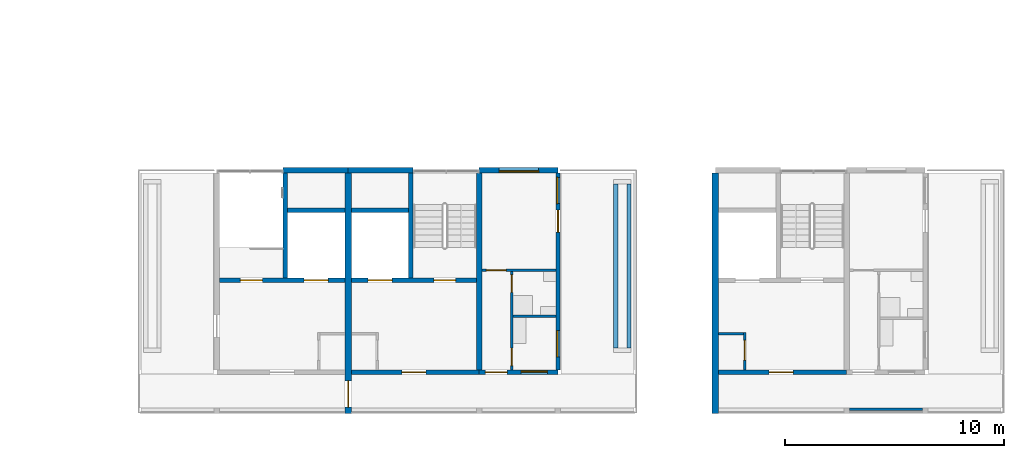
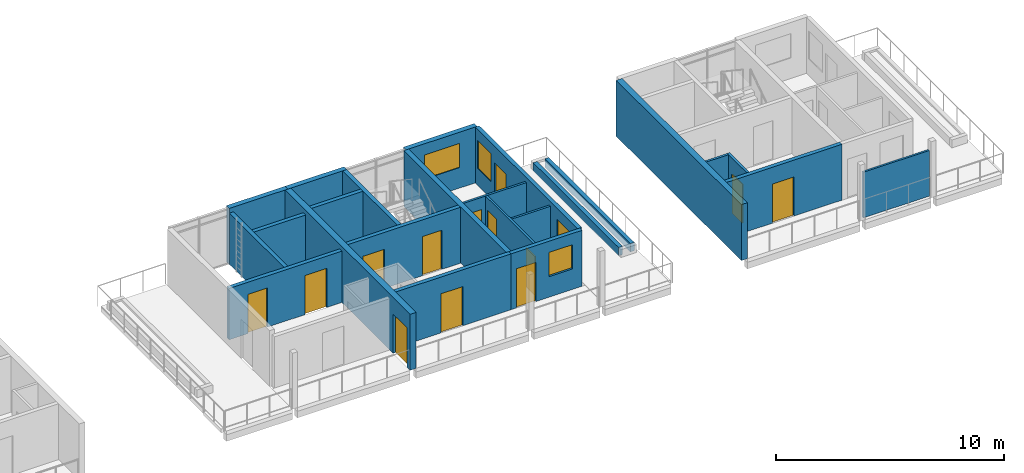
# One storey, part 24 of 41: 24 walls, 13 doors, 4 windows, 17 openings.
"""IFC4 building model written with IfcOpenShell, lengths in metres."""

import ifcopenshell
import ifcopenshell.guid

model = None  # the IFC model being written
_history = None  # IfcOwnerHistory: only IFC2X3 demands one
_inside = {}  # id of a spatial element -> (the spatial element, [elements in it])
_under = {}  # id of a project, library or spatial element -> (it, [spatial elements below it])
_declared = {}  # id of a project -> (the project, [libraries it declares])
_typed = {}  # id of a type object -> (the type object, [elements of that type])
_made_of = {}  # id of a material, layer set ... -> (it, [elements and type objects made of it])


def new_model(schema):
    """Start an empty IFC model of exactly this schema.

    Asked for "IFC4X3", IfcOpenShell would pick the latest addendum, in which some entities
    have other attributes; the version numbers below select the first issue.
    IFC2X3 requires an IfcOwnerHistory on every rooted entity: one is made here for all.
    """
    global model, _history
    if schema == "IFC4X3":
        model = ifcopenshell.file(schema_version=(4, 3, 0, 0))
    else:
        model = ifcopenshell.file(schema=schema)
    _inside.clear()
    _under.clear()
    _declared.clear()
    _typed.clear()
    _made_of.clear()
    _history = None
    if model.schema == "IFC2X3":
        org = make("IfcOrganization", Name="unknown")
        user = make(
            "IfcPersonAndOrganization",
            ThePerson=make("IfcPerson", FamilyName="unknown"),
            TheOrganization=org,
        )
        app = make(
            "IfcApplication",
            ApplicationDeveloper=org,
            Version="unknown",
            ApplicationFullName="unknown",
            ApplicationIdentifier="unknown",
        )
        _history = make(
            "IfcOwnerHistory",
            OwningUser=user,
            OwningApplication=app,
            ChangeAction="ADDED",
            CreationDate=0,
        )
    return model


def make(cls, **values):
    """One entity of the class cls with the attributes given. An attribute that is None is left unset."""
    return model.create_entity(
        cls, **{name: value for name, value in values.items() if value is not None}
    )


def rooted(cls, **values):
    """An entity with a GlobalId (a new one), such as an element, a storey or a relation."""
    return make(cls, GlobalId=ifcopenshell.guid.new(), OwnerHistory=_history, **values)


def si_unit(unit_type, name, prefix=None):
    """IfcSIUnit, for example si_unit("LENGTHUNIT", "METRE", prefix="MILLI")."""
    return make("IfcSIUnit", UnitType=unit_type, Prefix=prefix, Name=name)


def assignment(units):
    """IfcUnitAssignment: the units of a project."""
    return None if units is None else make("IfcUnitAssignment", Units=units)


def point(xyz):
    """IfcCartesianPoint."""
    return None if xyz is None else make("IfcCartesianPoint", Coordinates=xyz)


def direction(xyz):
    """IfcDirection."""
    return None if xyz is None else make("IfcDirection", DirectionRatios=xyz)


def frame(location, z_axis=None, x_axis=None):
    """IfcAxis2Placement3D, a coordinate frame: its origin and axes. An axis left out is left unset."""
    return make(
        "IfcAxis2Placement3D",
        Location=point(location),
        Axis=direction(z_axis),
        RefDirection=direction(x_axis),
    )


def frame_2d(location, x_axis=None):
    """IfcAxis2Placement2D, a coordinate frame in the plane: its origin and x axis."""
    return make(
        "IfcAxis2Placement2D", Location=point(location), RefDirection=direction(x_axis)
    )


def origin():
    """The frame at (0, 0, 0) with its axes left unset."""
    return frame((0.0, 0.0, 0.0))


def place(relative_to, where):
    """IfcLocalPlacement: puts the frame where relative to a parent placement (None: the world)."""
    return make(
        "IfcLocalPlacement", PlacementRelTo=relative_to, RelativePlacement=where
    )


def context(
    kind, dimensions, precision=None, world=None, true_north=None, identifier=None
):
    """IfcGeometricRepresentationContext, for example the 3D "Model" context."""
    return make(
        "IfcGeometricRepresentationContext",
        ContextIdentifier=identifier,
        ContextType=kind,
        CoordinateSpaceDimension=dimensions,
        Precision=precision,
        WorldCoordinateSystem=world,
        TrueNorth=true_north,
    )


def subcontext(parent, identifier, kind, view, scale=None):
    """IfcGeometricRepresentationSubContext, for example "Body" below "Model"."""
    return make(
        "IfcGeometricRepresentationSubContext",
        ContextIdentifier=identifier,
        ContextType=kind,
        ParentContext=parent,
        TargetScale=scale,
        TargetView=view,
    )


def project(units=None, contexts=None):
    """IfcProject with its units and contexts."""
    return rooted(
        "IfcProject",
        Name="project",
        RepresentationContexts=contexts,
        UnitsInContext=assignment(units),
    )


def spatial(cls, under=None, at=None, **own):
    """A site, building, storey or space (cls), placed at a placement, below another one or the project."""
    s = rooted(cls, ObjectPlacement=at, **own)
    if under is not None:
        _under.setdefault(under.id(), (under, []))[1].append(s)
    return s


def profile(cls, at=None, kind="AREA", **sizes):
    """A parametric profile (cls). Its sizes go by their IFC names, for example OverallWidth=200.0."""
    return make(cls, ProfileType=kind, Position=at, **sizes)


def rectangle(**sizes):
    """IfcRectangleProfileDef."""
    return profile("IfcRectangleProfileDef", **sizes)


def extrude(swept, where, along, depth):
    """IfcExtrudedAreaSolid: the profile swept, set in the frame where, extruded along a direction by depth."""
    return make(
        "IfcExtrudedAreaSolid",
        SweptArea=swept,
        Position=where,
        ExtrudedDirection=direction(along),
        Depth=depth,
    )


def shape(context_of_items, identifier, shape_type, items):
    """IfcShapeRepresentation: the items that make up one representation, for example the "Body"."""
    return make(
        "IfcShapeRepresentation",
        ContextOfItems=context_of_items,
        RepresentationIdentifier=identifier,
        RepresentationType=shape_type,
        Items=items,
    )


def material(Name=None, Category=None):
    """IfcMaterial."""
    return make("IfcMaterial", Name=Name, Category=Category)


def layer(
    of_material, thickness, ventilated=None, Name=None, Category=None, Priority=None
):
    """IfcMaterialLayer: one layer of a wall or slab, of a material (None: an air gap)."""
    return make(
        "IfcMaterialLayer",
        Material=of_material,
        LayerThickness=thickness,
        IsVentilated=ventilated,
        Name=Name,
        Category=Category,
        Priority=Priority,
    )


def layer_set(layers, Name=None):
    """IfcMaterialLayerSet."""
    return make("IfcMaterialLayerSet", MaterialLayers=layers, LayerSetName=Name)


def made_of(thing, what):
    """Note that an element or type object is made of a material, layer set ...; save() writes the relation."""
    if what is not None:
        _made_of.setdefault(what.id(), (what, []))[1].append(thing)
    return thing


def type_object(cls, material=None, **own):
    """A type object (cls), such as IfcWallType, which elements share."""
    return made_of(rooted(cls, **own), material)


def element(
    cls,
    number,
    at=None,
    inside=None,
    cuts=None,
    type_object=None,
    material=None,
    context=None,
    identifier="Body",
    shape_type=None,
    held_by="IfcProductDefinitionShape",
    body=None,
    shapes=None,
    **own,
):
    """One element of the class cls, such as IfcWall. Its Tag is "e" and its number.

    at: its placement. inside: the storey or other place that contains it. cuts: it is an
    opening in that element (IfcRelVoidsElement). A single representation is given by context,
    identifier, shape_type and body (its items); several are given by shapes. held_by: the class
    of the entity that holds the representations. save() writes the other relations.
    """
    e = rooted(cls, Tag="e%d" % number, ObjectPlacement=at, **own)
    if body is not None:
        shapes = [shape(context, identifier, shape_type, body)]
    if shapes is not None:
        e.Representation = make(held_by, Representations=shapes)
    if inside is not None:
        _inside.setdefault(inside.id(), (inside, []))[1].append(e)
    if cuts is not None:
        rooted(
            "IfcRelVoidsElement", RelatingBuildingElement=cuts, RelatedOpeningElement=e
        )
    if type_object is not None:
        _typed.setdefault(type_object.id(), (type_object, []))[1].append(e)
    return made_of(e, material)


def fill(opening, filler):
    """IfcRelFillsElement: the door or window that sits in an opening."""
    return rooted(
        "IfcRelFillsElement",
        RelatingOpeningElement=opening,
        RelatedBuildingElement=filler,
    )


def aggregate(whole, parts):
    """IfcRelAggregates: a whole, such as a stair, and the parts it consists of."""
    return rooted("IfcRelAggregates", RelatingObject=whole, RelatedObjects=parts)


def save(model, path):
    """Write the relations noted so far, then the file.

    IfcRelAggregates (storeys below a building ...), IfcRelContainedInSpatialStructure (elements
    in a storey), IfcRelDefinesByType, IfcRelAssociatesMaterial and IfcRelDeclares: one each for
    every whole, place, type object, material and project.
    """
    for whole, parts in _under.values():
        aggregate(whole, parts)
    for where, things in _inside.values():
        rooted(
            "IfcRelContainedInSpatialStructure",
            RelatedElements=things,
            RelatingStructure=where,
        )
    for kind, things in _typed.values():
        rooted("IfcRelDefinesByType", RelatedObjects=things, RelatingType=kind)
    for what, things in _made_of.values():
        rooted("IfcRelAssociatesMaterial", RelatedObjects=things, RelatingMaterial=what)
    for by, libraries in _declared.values():
        rooted("IfcRelDeclares", RelatingContext=by, RelatedDefinitions=libraries)
    model.write(path)


model = new_model("IFC4")

# Units and contexts
model_context = context("Model", 3, precision=1e-05, world=origin(), true_north=direction((0.0, 1.0)))
body_context = subcontext(model_context, "Body", "Model", "MODEL_VIEW")
ifc_project = project(units=[si_unit("LENGTHUNIT", "METRE"), si_unit("AREAUNIT", "SQUARE_METRE"), si_unit("VOLUMEUNIT", "CUBIC_METRE"), si_unit("PLANEANGLEUNIT", "RADIAN"), si_unit("MASSUNIT", "GRAM", prefix="KILO")], contexts=[model_context])

# Site, building, storey
site_placement = place(None, origin())
site = spatial("IfcSite", under=ifc_project, at=site_placement, CompositionType="ELEMENT")
building_placement = place(site_placement, origin())
building = spatial("IfcBuilding", under=site, at=building_placement, Name="Ridgestep Commons", CompositionType="ELEMENT")
storey_placement = place(building_placement, frame((0.0, 0.0, 39.0)))
storey = spatial("IfcBuildingStorey", under=building, at=storey_placement, Name="L13", CompositionType="ELEMENT", Elevation=39.0)

# Wall
ifc_material_1 = material(Name="Concrete C30/37", Category="concrete")
ifc_layer_1 = layer(ifc_material_1, 0.25)
ifc_layer_set_1 = layer_set([ifc_layer_1], Name="Core cross wall 250")
wall_type_1 = type_object("IfcWallType", Name="Core cross wall 250", PredefinedType="SHEAR", material=ifc_layer_set_1)
wall_1_placement = place(storey_placement, frame((220.0, 13.75, 0.0), z_axis=(0.0, 0.0, 1.0), x_axis=(0.0, 1.0, 0.0)))
element("IfcWall", 1, at=wall_1_placement, inside=storey, type_object=wall_type_1, Name="Cross wall D-13-2200", PredefinedType="SHEAR", context=body_context, shape_type="SweptSolid", body=[
    extrude(rectangle(XDim=9.0, YDim=0.25, at=frame_2d((4.5, 0.0))), origin(), (0.0, 0.0, 1.0), 3.0),
])

# Wall, opening, door
ifc_material_2 = material(Name="Concrete C30/37", Category="concrete")
ifc_layer_2 = layer(ifc_material_2, 0.199951171875)
ifc_layer_set_2 = layer_set([ifc_layer_2], Name="Core south wall 200")
wall_type_2 = type_object("IfcWallType", Name="Core south wall 200", PredefinedType="SHEAR", material=ifc_layer_set_2)
wall_2_placement = place(storey_placement, frame((214.14990234375, 13.64990234375, 0.0), z_axis=(0.0, 0.0, 1.0), x_axis=(1.0, 0.0, 0.0)))
wall_2 = element("IfcWall", 2, at=wall_2_placement, inside=storey, type_object=wall_type_2, Name="Core south wall D5C L13", PredefinedType="SHEAR", context=body_context, shape_type="SweptSolid", body=[
    extrude(rectangle(XDim=5.85009765625, YDim=0.199951171875, at=frame_2d((2.925048828125, 0.0))), origin(), (0.0, 0.0, 1.0), 3.0),
])
opening_1_placement = place(wall_2_placement, frame((2.3125, 0.0, 0.0)))
opening_1 = element("IfcOpeningElement", 3, at=opening_1_placement, cuts=wall_2, Name="Opening D5C/13/1", PredefinedType="OPENING", context=body_context, shape_type="SweptSolid", body=[
    extrude(rectangle(XDim=1.10009765625, YDim=2.10009765625, at=frame_2d((0.550048828125, 1.050048828125))), frame((0.0, 0.10986328125, 0.0), z_axis=(0.0, -1.0, 0.0), x_axis=(1.0, 0.0, 0.0)), (0.0, 0.0, 1.0), 0.219970703125),
])
ifc_material_3 = material(Name="Steel fire door", Category="steel")
door_type_1 = type_object("IfcDoorType", Name="Lobby door 1100 x 2100 FD60", OperationType="NOTDEFINED", PredefinedType="DOOR", material=ifc_material_3)
door_1_placement = place(opening_1_placement, origin())
door_1 = element("IfcDoor", 4, at=door_1_placement, inside=storey, type_object=door_type_1, Name="Lobby door D5C/13/1", OperationType="SINGLE_SWING_LEFT", OverallHeight=2.10009765625, OverallWidth=1.10009765625, PredefinedType="DOOR", context=body_context, shape_type="SweptSolid", body=[
    extrude(rectangle(XDim=1.10009765625, YDim=2.10009765625, at=frame_2d((0.550048828125, 1.050048828125))), frame((0.0, 0.02490234375, 0.0), z_axis=(0.0, -1.0, 0.0), x_axis=(1.0, 0.0, 0.0)), (0.0, 0.0, 1.0), 0.050048828125),
])
fill(opening_1, door_1)

wall_3_placement = place(storey_placement, frame((230.949951171875, 13.64990234375, 0.0), z_axis=(0.0, 0.0, 1.0), x_axis=(1.0, 0.0, 0.0)))
wall_3 = element("IfcWall", 5, at=wall_3_placement, inside=storey, type_object=wall_type_2, Name="Core south wall D6C L13", PredefinedType="SHEAR", context=body_context, shape_type="SweptSolid", body=[
    extrude(rectangle(XDim=5.85009765625, YDim=0.199951171875, at=frame_2d((2.925048828125, 0.0))), origin(), (0.0, 0.0, 1.0), 3.0),
])
opening_2_placement = place(wall_3_placement, frame((2.3125, 0.0, 0.0)))
opening_2 = element("IfcOpeningElement", 6, at=opening_2_placement, cuts=wall_3, Name="Opening D6C/13/1", PredefinedType="OPENING", context=body_context, shape_type="SweptSolid", body=[
    extrude(rectangle(XDim=1.10009765625, YDim=2.10009765625, at=frame_2d((0.550048828125, 1.050048828125))), frame((0.0, 0.10986328125, 0.0), z_axis=(0.0, -1.0, 0.0), x_axis=(1.0, 0.0, 0.0)), (0.0, 0.0, 1.0), 0.219970703125),
])
door_2_placement = place(opening_2_placement, origin())
door_2 = element("IfcDoor", 7, at=door_2_placement, inside=storey, type_object=door_type_1, Name="Lobby door D6C/13/1", OperationType="SINGLE_SWING_LEFT", OverallHeight=2.10009765625, OverallWidth=1.10009765625, PredefinedType="DOOR", context=body_context, shape_type="SweptSolid", body=[
    extrude(rectangle(XDim=1.10009765625, YDim=2.10009765625, at=frame_2d((0.550048828125, 1.050048828125))), frame((0.0, 0.02490234375, 0.0), z_axis=(0.0, -1.0, 0.0), x_axis=(1.0, 0.0, 0.0)), (0.0, 0.0, 1.0), 0.050048828125),
])
fill(opening_2, door_2)

ifc_material_4 = material(Name="Concrete C30/37", Category="concrete")
ifc_layer_3 = layer(ifc_material_4, 0.1201171875)
ifc_layer_set_3 = layer_set([ifc_layer_3], Name="Core wall 120")
wall_type_3 = type_object("IfcWallType", Name="Core wall 120", PredefinedType="SHEAR", material=ifc_layer_set_3)
wall_4_placement = place(storey_placement, frame((232.139892578125, 13.75, 0.0), z_axis=(0.0, 0.0, 1.0), x_axis=(0.0, 1.0, 0.0)))
wall_4 = element("IfcWall", 8, at=wall_4_placement, inside=storey, type_object=wall_type_3, Name="Core riser w wall D6C L13", PredefinedType="SHEAR", context=body_context, shape_type="SweptSolid", body=[
    extrude(rectangle(XDim=1.719970703125, YDim=0.1201171875, at=frame_2d((0.85986328125, 0.0))), origin(), (0.0, 0.0, 1.0), 3.0),
])
opening_3_placement = place(wall_4_placement, frame((0.449951171875, 0.0, 0.0)))
opening_3 = element("IfcOpeningElement", 9, at=opening_3_placement, cuts=wall_4, Name="Opening D6C/13/4", PredefinedType="OPENING", context=body_context, shape_type="SweptSolid", body=[
    extrude(rectangle(XDim=0.89990234375, YDim=2.10009765625, at=frame_2d((0.449951171875, 1.050048828125))), frame((0.0, 0.070068359375, 0.0), z_axis=(0.0, -1.0, 0.0), x_axis=(1.0, 0.0, 0.0)), (0.0, 0.0, 1.0), 0.14013671875),
])
ifc_material_5 = material(Name="Steel fire door", Category="steel")
door_type_2 = type_object("IfcDoorType", Name="Riser door 900 x 2100 FD60", OperationType="NOTDEFINED", PredefinedType="DOOR", material=ifc_material_5)
door_3_placement = place(opening_3_placement, origin())
door_3 = element("IfcDoor", 10, at=door_3_placement, inside=storey, type_object=door_type_2, Name="Riser door D6C/13/4", OperationType="SINGLE_SWING_RIGHT", OverallHeight=2.10009765625, OverallWidth=0.89990234375, PredefinedType="DOOR", context=body_context, shape_type="SweptSolid", body=[
    extrude(rectangle(XDim=0.89990234375, YDim=2.10009765625, at=frame_2d((0.449951171875, 1.050048828125))), frame((0.0, 0.02490234375, 0.0), z_axis=(0.0, -1.0, 0.0), x_axis=(1.0, 0.0, 0.0)), (0.0, 0.0, 1.0), 0.050048828125),
])
fill(opening_3, door_3)

# Wall
wall_5_placement = place(storey_placement, frame((230.949951171875, 15.409912109375, 0.0), z_axis=(0.0, 0.0, 1.0), x_axis=(1.0, 0.0, 0.0)))
element("IfcWall", 11, at=wall_5_placement, inside=storey, type_object=wall_type_3, Name="Core riser n wall D6C L13", PredefinedType="SHEAR", context=body_context, shape_type="SweptSolid", body=[
    extrude(rectangle(XDim=1.130126953125, YDim=0.1201171875, at=frame_2d((0.56494140625, 0.0))), origin(), (0.0, 0.0, 1.0), 3.0),
])

# Wall, openings, doors
ifc_material_6 = material(Name="Concrete C30/37", Category="concrete")
ifc_layer_4 = layer(ifc_material_6, 0.199951171875)
ifc_layer_set_4 = layer_set([ifc_layer_4], Name="Core wall 200")
wall_type_4 = type_object("IfcWallType", Name="Core wall 200", PredefinedType="SHEAR", material=ifc_layer_set_4)
wall_6_placement = place(storey_placement, frame((208.125, 17.85009765625, 0.0), z_axis=(0.0, 0.0, 1.0), x_axis=(1.0, 0.0, 0.0)))
wall_6 = element("IfcWall", 12, at=wall_6_placement, inside=storey, type_object=wall_type_4, Name="Core lobby wall D4C L13", PredefinedType="SHEAR", context=body_context, shape_type="SweptSolid", body=[
    extrude(rectangle(XDim=5.72509765625, YDim=0.199951171875, at=frame_2d((2.862548828125, 0.0))), origin(), (0.0, 0.0, 1.0), 2.75),
])
opening_4_placement = place(wall_6_placement, frame((0.949951171875, 0.0, 0.0)))
opening_4 = element("IfcOpeningElement", 13, at=opening_4_placement, cuts=wall_6, Name="Opening D4C/13/2", PredefinedType="OPENING", context=body_context, shape_type="SweptSolid", body=[
    extrude(rectangle(XDim=1.0, YDim=2.10009765625, at=frame_2d((0.5, 1.050048828125))), frame((0.0, 0.10986328125, 0.0), z_axis=(0.0, -1.0, 0.0), x_axis=(1.0, 0.0, 0.0)), (0.0, 0.0, 1.0), 0.219970703125),
])
opening_5_placement = place(wall_6_placement, frame((3.862548828125, 0.0, 0.0)))
opening_5 = element("IfcOpeningElement", 14, at=opening_5_placement, cuts=wall_6, Name="Opening D4C/13/3", PredefinedType="OPENING", context=body_context, shape_type="SweptSolid", body=[
    extrude(rectangle(XDim=1.10009765625, YDim=2.10009765625, at=frame_2d((0.550048828125, 1.050048828125))), frame((0.0, 0.10986328125, 0.0), z_axis=(0.0, -1.0, 0.0), x_axis=(1.0, 0.0, 0.0)), (0.0, 0.0, 1.0), 0.219970703125),
])
ifc_material_7 = material(Name="Stainless steel", Category="steel")
door_type_3 = type_object("IfcDoorType", Name="Lift landing door 1100 x 2100 FD60", OperationType="DOUBLE_DOOR_SLIDING", PredefinedType="DOOR", material=ifc_material_7)
door_4_placement = place(opening_5_placement, origin())
door_4 = element("IfcDoor", 15, at=door_4_placement, inside=storey, type_object=door_type_3, Name="Landing door LD D4C L13", OperationType="DOUBLE_DOOR_SLIDING", OverallHeight=2.10009765625, OverallWidth=1.10009765625, PredefinedType="DOOR", context=body_context, shape_type="SweptSolid", body=[
    extrude(rectangle(XDim=1.10009765625, YDim=2.10009765625, at=frame_2d((0.550048828125, 1.050048828125))), frame((0.0, 0.02490234375, 0.0), z_axis=(0.0, -1.0, 0.0), x_axis=(1.0, 0.0, 0.0)), (0.0, 0.0, 1.0), 0.050048828125),
])
fill(opening_5, door_4)
ifc_material_8 = material(Name="Steel fire door", Category="steel")
door_type_4 = type_object("IfcDoorType", Name="Stair door 1000 x 2100 FD60", OperationType="NOTDEFINED", PredefinedType="DOOR", material=ifc_material_8)
door_5_placement = place(opening_4_placement, origin())
door_5 = element("IfcDoor", 16, at=door_5_placement, inside=storey, type_object=door_type_4, Name="Stair door D4C/13/2", OperationType="SINGLE_SWING_RIGHT", OverallHeight=2.10009765625, OverallWidth=1.0, PredefinedType="DOOR", context=body_context, shape_type="SweptSolid", body=[
    extrude(rectangle(XDim=1.0, YDim=2.10009765625, at=frame_2d((0.5, 1.050048828125))), frame((0.0, 0.02490234375, 0.0), z_axis=(0.0, -1.0, 0.0), x_axis=(1.0, 0.0, 0.0)), (0.0, 0.0, 1.0), 0.050048828125),
])
fill(opening_4, door_5)

# Walls
wall_7_placement = place(storey_placement, frame((211.125, 17.949951171875, 0.0), z_axis=(0.0, 0.0, 1.0), x_axis=(0.0, 1.0, 0.0)))
element("IfcWall", 17, at=wall_7_placement, inside=storey, type_object=wall_type_4, Name="Core stair wall D4C L13", PredefinedType="SHEAR", context=body_context, shape_type="SweptSolid", body=[
    extrude(rectangle(XDim=4.800048828125, YDim=0.199951171875, at=frame_2d((2.39990234375, 0.0))), origin(), (0.0, 0.0, 1.0), 2.75),
])
wall_8_placement = place(storey_placement, frame((211.22509765625, 21.050048828125, 0.0), z_axis=(0.0, 0.0, 1.0), x_axis=(1.0, 0.0, 0.0)))
element("IfcWall", 18, at=wall_8_placement, inside=storey, type_object=wall_type_4, Name="Core duct wall D4C L13", PredefinedType="SHEAR", context=body_context, shape_type="SweptSolid", body=[
    extrude(rectangle(XDim=2.625, YDim=0.199951171875, at=frame_2d((1.3125, 0.0))), origin(), (0.0, 0.0, 1.0), 2.75),
])

# Wall, openings, doors
wall_9_placement = place(storey_placement, frame((214.14990234375, 17.85009765625, 0.0), z_axis=(0.0, 0.0, 1.0), x_axis=(1.0, 0.0, 0.0)))
wall_9 = element("IfcWall", 19, at=wall_9_placement, inside=storey, type_object=wall_type_4, Name="Core lobby wall D5C L13", PredefinedType="SHEAR", context=body_context, shape_type="SweptSolid", body=[
    extrude(rectangle(XDim=5.72509765625, YDim=0.199951171875, at=frame_2d((2.862548828125, 0.0))), origin(), (0.0, 0.0, 1.0), 3.0),
])
opening_6_placement = place(wall_9_placement, frame((3.77490234375, 0.0, 0.0)))
opening_6 = element("IfcOpeningElement", 20, at=opening_6_placement, cuts=wall_9, Name="Opening D5C/13/2", PredefinedType="OPENING", context=body_context, shape_type="SweptSolid", body=[
    extrude(rectangle(XDim=1.0, YDim=2.10009765625, at=frame_2d((0.5, 1.050048828125))), frame((0.0, 0.10986328125, 0.0), z_axis=(0.0, -1.0, 0.0), x_axis=(1.0, 0.0, 0.0)), (0.0, 0.0, 1.0), 0.219970703125),
])
opening_7_placement = place(wall_9_placement, frame((0.762451171875, 0.0, 0.0)))
opening_7 = element("IfcOpeningElement", 21, at=opening_7_placement, cuts=wall_9, Name="Opening D5C/13/3", PredefinedType="OPENING", context=body_context, shape_type="SweptSolid", body=[
    extrude(rectangle(XDim=1.10009765625, YDim=2.10009765625, at=frame_2d((0.550048828125, 1.050048828125))), frame((0.0, 0.10986328125, 0.0), z_axis=(0.0, -1.0, 0.0), x_axis=(1.0, 0.0, 0.0)), (0.0, 0.0, 1.0), 0.219970703125),
])
door_6_placement = place(opening_7_placement, origin())
door_6 = element("IfcDoor", 22, at=door_6_placement, inside=storey, type_object=door_type_3, Name="Landing door LD D5C L13", OperationType="DOUBLE_DOOR_SLIDING", OverallHeight=2.10009765625, OverallWidth=1.10009765625, PredefinedType="DOOR", context=body_context, shape_type="SweptSolid", body=[
    extrude(rectangle(XDim=1.10009765625, YDim=2.10009765625, at=frame_2d((0.550048828125, 1.050048828125))), frame((0.0, 0.02490234375, 0.0), z_axis=(0.0, -1.0, 0.0), x_axis=(1.0, 0.0, 0.0)), (0.0, 0.0, 1.0), 0.050048828125),
])
fill(opening_7, door_6)
door_7_placement = place(opening_6_placement, origin())
door_7 = element("IfcDoor", 23, at=door_7_placement, inside=storey, type_object=door_type_4, Name="Stair door D5C/13/2", OperationType="SINGLE_SWING_RIGHT", OverallHeight=2.10009765625, OverallWidth=1.0, PredefinedType="DOOR", context=body_context, shape_type="SweptSolid", body=[
    extrude(rectangle(XDim=1.0, YDim=2.10009765625, at=frame_2d((0.5, 1.050048828125))), frame((0.0, 0.02490234375, 0.0), z_axis=(0.0, -1.0, 0.0), x_axis=(1.0, 0.0, 0.0)), (0.0, 0.0, 1.0), 0.050048828125),
])
fill(opening_6, door_7)

# Walls
wall_10_placement = place(storey_placement, frame((216.875, 17.949951171875, 0.0), z_axis=(0.0, 0.0, 1.0), x_axis=(0.0, 1.0, 0.0)))
element("IfcWall", 24, at=wall_10_placement, inside=storey, type_object=wall_type_4, Name="Core stair wall D5C L13", PredefinedType="SHEAR", context=body_context, shape_type="SweptSolid", body=[
    extrude(rectangle(XDim=4.800048828125, YDim=0.199951171875, at=frame_2d((2.39990234375, 0.0))), origin(), (0.0, 0.0, 1.0), 3.0),
])
wall_11_placement = place(storey_placement, frame((214.14990234375, 21.050048828125, 0.0), z_axis=(0.0, 0.0, 1.0), x_axis=(1.0, 0.0, 0.0)))
element("IfcWall", 25, at=wall_11_placement, inside=storey, type_object=wall_type_4, Name="Core duct wall D5C L13", PredefinedType="SHEAR", context=body_context, shape_type="SweptSolid", body=[
    extrude(rectangle(XDim=2.625, YDim=0.199951171875, at=frame_2d((1.3125, 0.0))), origin(), (0.0, 0.0, 1.0), 3.0),
])

# Wall, opening, door
ifc_material_9 = material(Name="Precast concrete C40/50", Category="concrete")
ifc_layer_5 = layer(ifc_material_9, 0.300048828125)
ifc_layer_set_5 = layer_set([ifc_layer_5], Name="Division wall 300")
wall_type_5 = type_object("IfcWallType", Name="Division wall 300", PredefinedType="SHEAR", material=ifc_layer_set_5)
wall_12_placement = place(storey_placement, frame((214.0, 11.75, 0.0), z_axis=(0.0, 0.0, 1.0), x_axis=(0.0, 1.0, 0.0)))
wall_12 = element("IfcWall", 26, at=wall_12_placement, inside=storey, type_object=wall_type_5, Name="Cross wall D-13-2140", PredefinedType="SHEAR", context=body_context, shape_type="SweptSolid", body=[
    extrude(rectangle(XDim=11.0, YDim=0.300048828125, at=frame_2d((5.5, 0.0))), origin(), (0.0, 0.0, 1.0), 3.0),
])
opening_8_placement = place(wall_12_placement, frame((0.300048828125, 0.0, 0.0)))
opening_8 = element("IfcOpeningElement", 27, at=opening_8_placement, cuts=wall_12, Name="Opening D/13/G2140", PredefinedType="OPENING", context=body_context, shape_type="SweptSolid", body=[
    extrude(rectangle(XDim=1.199951171875, YDim=2.10009765625, at=frame_2d((0.60009765625, 1.050048828125))), frame((0.0, 0.159912109375, 0.0), z_axis=(0.0, -1.0, 0.0), x_axis=(1.0, 0.0, 0.0)), (0.0, 0.0, 1.0), 0.320068359375),
])
ifc_material_10 = material(Name="Steel fire door", Category="steel")
door_type_5 = type_object("IfcDoorType", Name="Division fire door 1200 x 2100 EI 240", OperationType="DOUBLE_DOOR_SINGLE_SWING", PredefinedType="DOOR", material=ifc_material_10)
door_8_placement = place(opening_8_placement, origin())
door_8 = element("IfcDoor", 28, at=door_8_placement, inside=storey, type_object=door_type_5, Name="Division fire door D/13/G2140", OperationType="DOUBLE_DOOR_SINGLE_SWING", OverallHeight=2.10009765625, OverallWidth=1.199951171875, PredefinedType="DOOR", context=body_context, shape_type="SweptSolid", body=[
    extrude(rectangle(XDim=1.199951171875, YDim=2.10009765625, at=frame_2d((0.60009765625, 1.050048828125))), frame((0.0, 0.02490234375, 0.0), z_axis=(0.0, -1.0, 0.0), x_axis=(1.0, 0.0, 0.0)), (0.0, 0.0, 1.0), 0.050048828125),
])
fill(opening_8, door_8)

# Wall, openings, windows, door
ifc_material_11 = material(Name="Precast concrete C40/50", Category="concrete")
ifc_layer_6 = layer(ifc_material_11, 0.199951171875)
ifc_layer_set_6 = layer_set([ifc_layer_6], Name="Exposed cross wall 200")
wall_type_6 = type_object("IfcWallType", Name="Exposed cross wall 200", PredefinedType="SHEAR", material=ifc_layer_set_6)
wall_13_placement = place(storey_placement, frame((223.60009765625, 13.75, 0.0), z_axis=(0.0, 0.0, 1.0), x_axis=(0.0, 1.0, 0.0)))
wall_13 = element("IfcWall", 29, at=wall_13_placement, inside=storey, type_object=wall_type_6, Name="Cross wall D-13-2236", PredefinedType="SHEAR", context=body_context, shape_type="SweptSolid", body=[
    extrude(rectangle(XDim=9.0, YDim=0.199951171875, at=frame_2d((4.5, 0.0))), origin(), (0.0, 0.0, 1.0), 3.0),
])
opening_9_placement = place(wall_13_placement, frame((0.60009765625, 0.0, 0.89990234375)))
opening_9 = element("IfcOpeningElement", 30, at=opening_9_placement, cuts=wall_13, Name="Opening W10", PredefinedType="OPENING", context=body_context, shape_type="SweptSolid", body=[
    extrude(rectangle(XDim=1.199951171875, YDim=1.5, at=frame_2d((0.60009765625, 0.75))), frame((0.0, 0.10986328125, 0.0), z_axis=(0.0, -1.0, 0.0), x_axis=(1.0, 0.0, 0.0)), (0.0, 0.0, 1.0), 0.219970703125),
])
opening_10_placement = place(wall_13_placement, frame((7.6025390625, 0.0, 0.89990234375)))
opening_10 = element("IfcOpeningElement", 31, at=opening_10_placement, cuts=wall_13, Name="Opening W10", PredefinedType="OPENING", context=body_context, shape_type="SweptSolid", body=[
    extrude(rectangle(XDim=1.199951171875, YDim=1.5, at=frame_2d((0.60009765625, 0.75))), frame((0.0, 0.10986328125, 0.0), z_axis=(0.0, -1.0, 0.0), x_axis=(1.0, 0.0, 0.0)), (0.0, 0.0, 1.0), 0.219970703125),
])
opening_11_placement = place(wall_13_placement, frame((6.304931640625, 0.0, 0.0)))
opening_11 = element("IfcOpeningElement", 32, at=opening_11_placement, cuts=wall_13, Name="Opening D5-13a/5", PredefinedType="OPENING", context=body_context, shape_type="SweptSolid", body=[
    extrude(rectangle(XDim=1.0, YDim=2.10009765625, at=frame_2d((0.5, 1.050048828125))), frame((0.0, 0.10986328125, 0.0), z_axis=(0.0, -1.0, 0.0), x_axis=(1.0, 0.0, 0.0)), (0.0, 0.0, 1.0), 0.219970703125),
])
ifc_material_12 = material(Name="Aluminium 6063-T6 and glass", Category="aluminium")
window_type_1 = type_object("IfcWindowType", Name="Flat window 1200 x 1500", PartitioningType="SINGLE_PANEL", PredefinedType="WINDOW", material=ifc_material_12)
window_1_placement = place(opening_9_placement, origin())
window_1 = element("IfcWindow", 33, at=window_1_placement, inside=storey, type_object=window_type_1, Name="Window D5-13a 3", OverallHeight=1.5, OverallWidth=1.199951171875, PartitioningType="SINGLE_PANEL", PredefinedType="WINDOW", context=body_context, shape_type="SweptSolid", body=[
    extrude(rectangle(XDim=1.199951171875, YDim=1.5, at=frame_2d((0.60009765625, 0.75))), frame((0.0, 0.06005859375, 0.0), z_axis=(0.0, -1.0, 0.0), x_axis=(1.0, 0.0, 0.0)), (0.0, 0.0, 1.0), 0.06005859375),
])
fill(opening_9, window_1)
window_2_placement = place(opening_10_placement, origin())
window_2 = element("IfcWindow", 34, at=window_2_placement, inside=storey, type_object=window_type_1, Name="Window D5-13a 4", OverallHeight=1.5, OverallWidth=1.199951171875, PartitioningType="SINGLE_PANEL", PredefinedType="WINDOW", context=body_context, shape_type="SweptSolid", body=[
    extrude(rectangle(XDim=1.199951171875, YDim=1.5, at=frame_2d((0.60009765625, 0.75))), frame((0.0, 0.06005859375, 0.0), z_axis=(0.0, -1.0, 0.0), x_axis=(1.0, 0.0, 0.0)), (0.0, 0.0, 1.0), 0.06005859375),
])
fill(opening_10, window_2)
ifc_material_13 = material(Name="Aluminium and glass", Category="aluminium")
door_type_6 = type_object("IfcDoorType", Name="Terrace door 1000 x 2100", OperationType="NOTDEFINED", PredefinedType="DOOR", material=ifc_material_13)
door_9_placement = place(opening_11_placement, origin())
door_9 = element("IfcDoor", 35, at=door_9_placement, inside=storey, type_object=door_type_6, Name="Terrace door D5-13a/5", OperationType="SINGLE_SWING_LEFT", OverallHeight=2.10009765625, OverallWidth=1.0, PredefinedType="DOOR", context=body_context, shape_type="SweptSolid", body=[
    extrude(rectangle(XDim=1.0, YDim=2.10009765625, at=frame_2d((0.5, 1.050048828125))), frame((0.0, 0.02490234375, 0.0), z_axis=(0.0, -1.0, 0.0), x_axis=(1.0, 0.0, 0.0)), (0.0, 0.0, 1.0), 0.050048828125),
])
fill(opening_11, door_9)

# Walls
ifc_material_14 = material(Name="Precast concrete C40/50", Category="concrete")
ifc_layer_7 = layer(ifc_material_14, 0.300048828125)
ifc_layer_set_7 = layer_set([ifc_layer_7], Name="Exposed division wall 300")
wall_type_7 = type_object("IfcWallType", Name="Exposed division wall 300", PredefinedType="SHEAR", material=ifc_layer_set_7)
wall_14_placement = place(storey_placement, frame((230.800048828125, 11.75, 0.0), z_axis=(0.0, 0.0, 1.0), x_axis=(0.0, 1.0, 0.0)))
element("IfcWall", 36, at=wall_14_placement, inside=storey, type_object=wall_type_7, Name="Cross wall D-13-2308", PredefinedType="SHEAR", context=body_context, shape_type="SweptSolid", body=[
    extrude(rectangle(XDim=11.0, YDim=0.300048828125, at=frame_2d((5.5, 0.0))), origin(), (0.0, 0.0, 1.0), 3.0),
])
ifc_material_15 = material(Name="Precast concrete C40/50", Category="concrete")
ifc_layer_8 = layer(ifc_material_15, 0.25)
ifc_layer_set_8 = layer_set([ifc_layer_8], Name="North facade panel 250")
wall_type_8 = type_object("IfcWallType", Name="North facade panel 250", PredefinedType="SOLIDWALL", material=ifc_layer_set_8)
for number, where, z_axis, x_axis, name in (
    (37, (211.02490234375, 22.875, 0.0), (0.0, 0.0, 1.0), (1.0, 0.0, 0.0), "North panel D4C L13"),
    (38, (214.0, 22.875, 0.0), (0.0, 0.0, 1.0), (1.0, 0.0, 0.0), "North panel D5C L13"),
):
    element("IfcWall", number, at=place(storey_placement, frame(where, z_axis=z_axis, x_axis=x_axis)), inside=storey, type_object=wall_type_8, Name=name, PredefinedType="SOLIDWALL", context=body_context, shape_type="SweptSolid", body=[
        extrude(rectangle(XDim=2.97509765625, YDim=0.25, at=frame_2d((1.487548828125, 0.0))), origin(), (0.0, 0.0, 1.0), 3.0),
    ])

# Wall, opening, window
wall_15_placement = place(storey_placement, frame((220.0, 22.875, 0.0), z_axis=(0.0, 0.0, 1.0), x_axis=(1.0, 0.0, 0.0)))
wall_15 = element("IfcWall", 39, at=wall_15_placement, inside=storey, type_object=wall_type_8, Name="North panel D5T3 L13", PredefinedType="SOLIDWALL", context=body_context, shape_type="SweptSolid", body=[
    extrude(rectangle(XDim=3.60009765625, YDim=0.25, at=frame_2d((1.800048828125, 0.0))), origin(), (0.0, 0.0, 1.0), 3.0),
])
opening_12_placement = place(wall_15_placement, frame((0.91259765625, 0.0, 1.10009765625)))
opening_12 = element("IfcOpeningElement", 40, at=opening_12_placement, cuts=wall_15, Name="Opening W18", PredefinedType="OPENING", context=body_context, shape_type="SweptSolid", body=[
    extrude(rectangle(XDim=1.800048828125, YDim=1.300048828125, at=frame_2d((0.89990234375, 0.64990234375))), frame((0.0, 0.135009765625, 0.0), z_axis=(0.0, -1.0, 0.0), x_axis=(1.0, 0.0, 0.0)), (0.0, 0.0, 1.0), 0.27001953125),
])
ifc_material_16 = material(Name="Aluminium 6063-T6 and glass", Category="aluminium")
window_type_2 = type_object("IfcWindowType", Name="Flat window 1800 x 1300", PartitioningType="DOUBLE_PANEL_VERTICAL", PredefinedType="WINDOW", material=ifc_material_16)
window_3_placement = place(opening_12_placement, origin())
window_3 = element("IfcWindow", 41, at=window_3_placement, inside=storey, type_object=window_type_2, Name="Window D5-13a 2", OverallHeight=1.300048828125, OverallWidth=1.800048828125, PartitioningType="SINGLE_PANEL", PredefinedType="WINDOW", context=body_context, shape_type="SweptSolid", body=[
    extrude(rectangle(XDim=1.800048828125, YDim=1.300048828125, at=frame_2d((0.89990234375, 0.64990234375))), frame((0.0, -0.02490234375, 0.0), z_axis=(0.0, -1.0, 0.0), x_axis=(1.0, 0.0, 0.0)), (0.0, 0.0, 1.0), 0.06005859375),
])
fill(opening_12, window_3)

# Wall, openings, doors
ifc_material_17 = material(Name="Common brick 110 mm", Category="masonry")
ifc_layer_9 = layer(ifc_material_17, 0.110107421875)
ifc_layer_set_9 = layer_set([ifc_layer_9], Name="Partition 110")
wall_type_9 = type_object("IfcWallType", Name="Partition 110", PredefinedType="PARTITIONING", material=ifc_layer_set_9)
wall_16_placement = place(storey_placement, frame((221.47998046875, 13.75, 0.0), z_axis=(0.0, 0.0, 1.0), x_axis=(0.0, 1.0, 0.0)))
wall_16 = element("IfcWall", 42, at=wall_16_placement, inside=storey, type_object=wall_type_9, Name="Partition D5-13a", PredefinedType="PARTITIONING", context=body_context, shape_type="SweptSolid", body=[
    extrude(rectangle(XDim=4.5, YDim=0.110107421875, at=frame_2d((2.25, 0.0))), origin(), (0.0, 0.0, 1.0), 2.75),
])
opening_13_placement = place(wall_16_placement, frame((0.199951171875, 0.0, 0.0)))
opening_13 = element("IfcOpeningElement", 43, at=opening_13_placement, cuts=wall_16, Name="Opening D5-13a/2", PredefinedType="OPENING", context=body_context, shape_type="SweptSolid", body=[
    extrude(rectangle(XDim=0.800048828125, YDim=2.10009765625, at=frame_2d((0.39990234375, 1.050048828125))), frame((0.0, 0.06494140625, 0.0), z_axis=(0.0, -1.0, 0.0), x_axis=(1.0, 0.0, 0.0)), (0.0, 0.0, 1.0), 0.130126953125),
])
opening_14_placement = place(wall_16_placement, frame((3.550048828125, 0.0, 0.0)))
opening_14 = element("IfcOpeningElement", 44, at=opening_14_placement, cuts=wall_16, Name="Opening D5-13a/3", PredefinedType="OPENING", context=body_context, shape_type="SweptSolid", body=[
    extrude(rectangle(XDim=0.800048828125, YDim=2.10009765625, at=frame_2d((0.39990234375, 1.050048828125))), frame((0.0, 0.06494140625, 0.0), z_axis=(0.0, -1.0, 0.0), x_axis=(1.0, 0.0, 0.0)), (0.0, 0.0, 1.0), 0.130126953125),
])
ifc_material_18 = material(Name="Timber door leaf", Category="wood")
door_type_7 = type_object("IfcDoorType", Name="Internal door 800 x 2100", OperationType="NOTDEFINED", PredefinedType="DOOR", material=ifc_material_18)
door_10_placement = place(opening_13_placement, origin())
door_10 = element("IfcDoor", 45, at=door_10_placement, inside=storey, type_object=door_type_7, Name="Internal door D5-13a/2", OperationType="SINGLE_SWING_RIGHT", OverallHeight=2.10009765625, OverallWidth=0.800048828125, PredefinedType="DOOR", context=body_context, shape_type="SweptSolid", body=[
    extrude(rectangle(XDim=0.800048828125, YDim=2.10009765625, at=frame_2d((0.39990234375, 1.050048828125))), frame((0.0, 0.02490234375, 0.0), z_axis=(0.0, -1.0, 0.0), x_axis=(1.0, 0.0, 0.0)), (0.0, 0.0, 1.0), 0.050048828125),
])
fill(opening_13, door_10)
door_11_placement = place(opening_14_placement, origin())
door_11 = element("IfcDoor", 46, at=door_11_placement, inside=storey, type_object=door_type_7, Name="Internal door D5-13a/3", OperationType="SINGLE_SWING_LEFT", OverallHeight=2.10009765625, OverallWidth=0.800048828125, PredefinedType="DOOR", context=body_context, shape_type="SweptSolid", body=[
    extrude(rectangle(XDim=0.800048828125, YDim=2.10009765625, at=frame_2d((0.39990234375, 1.050048828125))), frame((0.0, 0.02490234375, 0.0), z_axis=(0.0, -1.0, 0.0), x_axis=(1.0, 0.0, 0.0)), (0.0, 0.0, 1.0), 0.050048828125),
])
fill(opening_14, door_11)

# Wall
wall_17_placement = place(storey_placement, frame((221.534912109375, 16.205078125, 0.0), z_axis=(0.0, 0.0, 1.0), x_axis=(1.0, 0.0, 0.0)))
element("IfcWall", 47, at=wall_17_placement, inside=storey, type_object=wall_type_9, Name="Partition D5-13a", PredefinedType="PARTITIONING", context=body_context, shape_type="SweptSolid", body=[
    extrude(rectangle(XDim=1.965087890625, YDim=0.110107421875, at=frame_2d((0.982421875, 0.0))), origin(), (0.0, 0.0, 1.0), 2.75),
])

# Wall, opening, door
wall_18_placement = place(storey_placement, frame((220.125, 18.304931640625, 0.0), z_axis=(0.0, 0.0, 1.0), x_axis=(1.0, 0.0, 0.0)))
wall_18 = element("IfcWall", 48, at=wall_18_placement, inside=storey, type_object=wall_type_9, Name="Partition D5-13a", PredefinedType="PARTITIONING", context=body_context, shape_type="SweptSolid", body=[
    extrude(rectangle(XDim=3.375, YDim=0.110107421875, at=frame_2d((1.6875, 0.0))), origin(), (0.0, 0.0, 1.0), 2.75),
])
opening_15_placement = place(wall_18_placement, frame((0.199951171875, 0.0, 0.0)))
opening_15 = element("IfcOpeningElement", 49, at=opening_15_placement, cuts=wall_18, Name="Opening D5-13a/4", PredefinedType="OPENING", context=body_context, shape_type="SweptSolid", body=[
    extrude(rectangle(XDim=0.89990234375, YDim=2.10009765625, at=frame_2d((0.449951171875, 1.050048828125))), frame((0.0, 0.06494140625, 0.0), z_axis=(0.0, -1.0, 0.0), x_axis=(1.0, 0.0, 0.0)), (0.0, 0.0, 1.0), 0.130126953125),
])
ifc_material_19 = material(Name="Timber door leaf", Category="wood")
door_type_8 = type_object("IfcDoorType", Name="Internal door 900 x 2100", OperationType="NOTDEFINED", PredefinedType="DOOR", material=ifc_material_19)
door_12_placement = place(opening_15_placement, origin())
door_12 = element("IfcDoor", 50, at=door_12_placement, inside=storey, type_object=door_type_8, Name="Internal door D5-13a/4", OperationType="SINGLE_SWING_LEFT", OverallHeight=2.10009765625, OverallWidth=0.89990234375, PredefinedType="DOOR", context=body_context, shape_type="SweptSolid", body=[
    extrude(rectangle(XDim=0.89990234375, YDim=2.10009765625, at=frame_2d((0.449951171875, 1.050048828125))), frame((0.0, 0.02490234375, 0.0), z_axis=(0.0, -1.0, 0.0), x_axis=(1.0, 0.0, 0.0)), (0.0, 0.0, 1.0), 0.050048828125),
])
fill(opening_15, door_12)

# Walls
ifc_material_20 = material(Name="Precast concrete C30/37", Category="concrete")
ifc_layer_10 = layer(ifc_material_20, 0.10009765625)
ifc_layer_set_10 = layer_set([ifc_layer_10], Name="Perforated gallery screen 3350 x 2450 x 100")
wall_type_10 = type_object("IfcWallType", Name="Perforated gallery screen 3350 x 2450 x 100", PredefinedType="SOLIDWALL", material=ifc_layer_set_10)
wall_19_placement = place(storey_placement, frame((236.925048828125, 11.949951171875, 0.0), z_axis=(0.0, 0.0, 1.0), x_axis=(1.0, 0.0, 0.0)))
element("IfcWall", 51, at=wall_19_placement, inside=storey, type_object=wall_type_10, Name="Gallery screen D6T3 13", PredefinedType="SOLIDWALL", context=body_context, shape_type="SweptSolid", body=[
    extrude(rectangle(XDim=3.349853515625, YDim=0.10009765625, at=frame_2d((1.6748046875, 0.0))), origin(), (0.0, 0.0, 1.0), 2.449951171875),
])
ifc_material_21 = material(Name="Facing brick", Category="masonry")
ifc_layer_11 = layer(ifc_material_21, 0.199951171875)
ifc_layer_set_11 = layer_set([ifc_layer_11], Name="Planter wall 200")
wall_type_11 = type_object("IfcWallType", Name="Planter wall 200", PredefinedType="SOLIDWALL", material=ifc_layer_set_11)
for number, where, z_axis, x_axis, name in (
    (52, (226.25, 14.75, 0.010009765625), (0.0, 0.0, 1.0), (0.0, 1.0, 0.0), "Planter wall D5R2W"),
    (53, (226.85009765625, 14.75, 0.010009765625), (0.0, 0.0, 1.0), (0.0, 1.0, 0.0), "Planter wall D5R2E"),
):
    element("IfcWall", number, at=place(storey_placement, frame(where, z_axis=z_axis, x_axis=x_axis)), inside=storey, type_object=wall_type_11, Name=name, PredefinedType="SOLIDWALL", context=body_context, shape_type="SweptSolid", body=[
        extrude(rectangle(XDim=7.5, YDim=0.199951171875, at=frame_2d((3.75, 0.0))), origin(), (0.0, 0.0, 1.0), 0.449951171875),
    ])

# Wall, openings, door, window
ifc_material_22 = material(Name="Precast concrete C40/50", Category="concrete")
ifc_layer_12 = layer(ifc_material_22, 0.199951171875)
ifc_layer_set_12 = layer_set([ifc_layer_12], Name="South facade panel 200")
wall_type_12 = type_object("IfcWallType", Name="South facade panel 200", PredefinedType="SOLIDWALL", material=ifc_layer_set_12)
wall_20_placement = place(storey_placement, frame((220.0, 13.64990234375, 0.0), z_axis=(0.0, 0.0, 1.0), x_axis=(1.0, 0.0, 0.0)))
wall_20 = element("IfcWall", 54, at=wall_20_placement, inside=storey, type_object=wall_type_12, Name="South panel D5T3 L13", PredefinedType="SOLIDWALL", context=body_context, shape_type="SweptSolid", body=[
    extrude(rectangle(XDim=3.60009765625, YDim=0.199951171875, at=frame_2d((1.800048828125, 0.0))), origin(), (0.0, 0.0, 1.0), 3.0),
])
opening_16_placement = place(wall_20_placement, frame((1.91748046875, 0.0, 1.10009765625)))
opening_16 = element("IfcOpeningElement", 55, at=opening_16_placement, cuts=wall_20, Name="Opening W08", PredefinedType="OPENING", context=body_context, shape_type="SweptSolid", body=[
    extrude(rectangle(XDim=1.199951171875, YDim=1.300048828125, at=frame_2d((0.60009765625, 0.64990234375))), frame((0.0, 0.10986328125, 0.0), z_axis=(0.0, -1.0, 0.0), x_axis=(1.0, 0.0, 0.0)), (0.0, 0.0, 1.0), 0.219970703125),
])
opening_17_placement = place(wall_20_placement, frame((0.27490234375, 0.0, 0.0)))
opening_17 = element("IfcOpeningElement", 56, at=opening_17_placement, cuts=wall_20, Name="Opening D5-13a/1", PredefinedType="OPENING", context=body_context, shape_type="SweptSolid", body=[
    extrude(rectangle(XDim=1.0, YDim=2.10009765625, at=frame_2d((0.5, 1.050048828125))), frame((0.0, 0.10986328125, 0.0), z_axis=(0.0, -1.0, 0.0), x_axis=(1.0, 0.0, 0.0)), (0.0, 0.0, 1.0), 0.219970703125),
])
ifc_material_23 = material(Name="Timber door leaf", Category="wood")
door_type_9 = type_object("IfcDoorType", Name="Flat entrance door 1000 x 2100 FD30S", OperationType="NOTDEFINED", PredefinedType="DOOR", material=ifc_material_23)
door_13_placement = place(opening_17_placement, origin())
door_13 = element("IfcDoor", 57, at=door_13_placement, inside=storey, type_object=door_type_9, Name="Flat entrance door D5-13a/1", OperationType="SINGLE_SWING_LEFT", OverallHeight=2.10009765625, OverallWidth=1.0, PredefinedType="DOOR", context=body_context, shape_type="SweptSolid", body=[
    extrude(rectangle(XDim=1.0, YDim=2.10009765625, at=frame_2d((0.5, 1.050048828125))), frame((0.0, 0.02490234375, 0.0), z_axis=(0.0, -1.0, 0.0), x_axis=(1.0, 0.0, 0.0)), (0.0, 0.0, 1.0), 0.050048828125),
])
fill(opening_17, door_13)
ifc_material_24 = material(Name="Aluminium 6063-T6 and glass", Category="aluminium")
window_type_3 = type_object("IfcWindowType", Name="Flat window 1200 x 1300", PartitioningType="SINGLE_PANEL", PredefinedType="WINDOW", material=ifc_material_24)
window_4_placement = place(opening_16_placement, origin())
window_4 = element("IfcWindow", 58, at=window_4_placement, inside=storey, type_object=window_type_3, Name="Window D5-13a 1", OverallHeight=1.300048828125, OverallWidth=1.199951171875, PartitioningType="SINGLE_PANEL", PredefinedType="WINDOW", context=body_context, shape_type="SweptSolid", body=[
    extrude(rectangle(XDim=1.199951171875, YDim=1.300048828125, at=frame_2d((0.60009765625, 0.64990234375))), frame((0.0, 0.06005859375, 0.0), z_axis=(0.0, -1.0, 0.0), x_axis=(1.0, 0.0, 0.0)), (0.0, 0.0, 1.0), 0.06005859375),
])
fill(opening_16, window_4)

save(model, "model.ifc")
